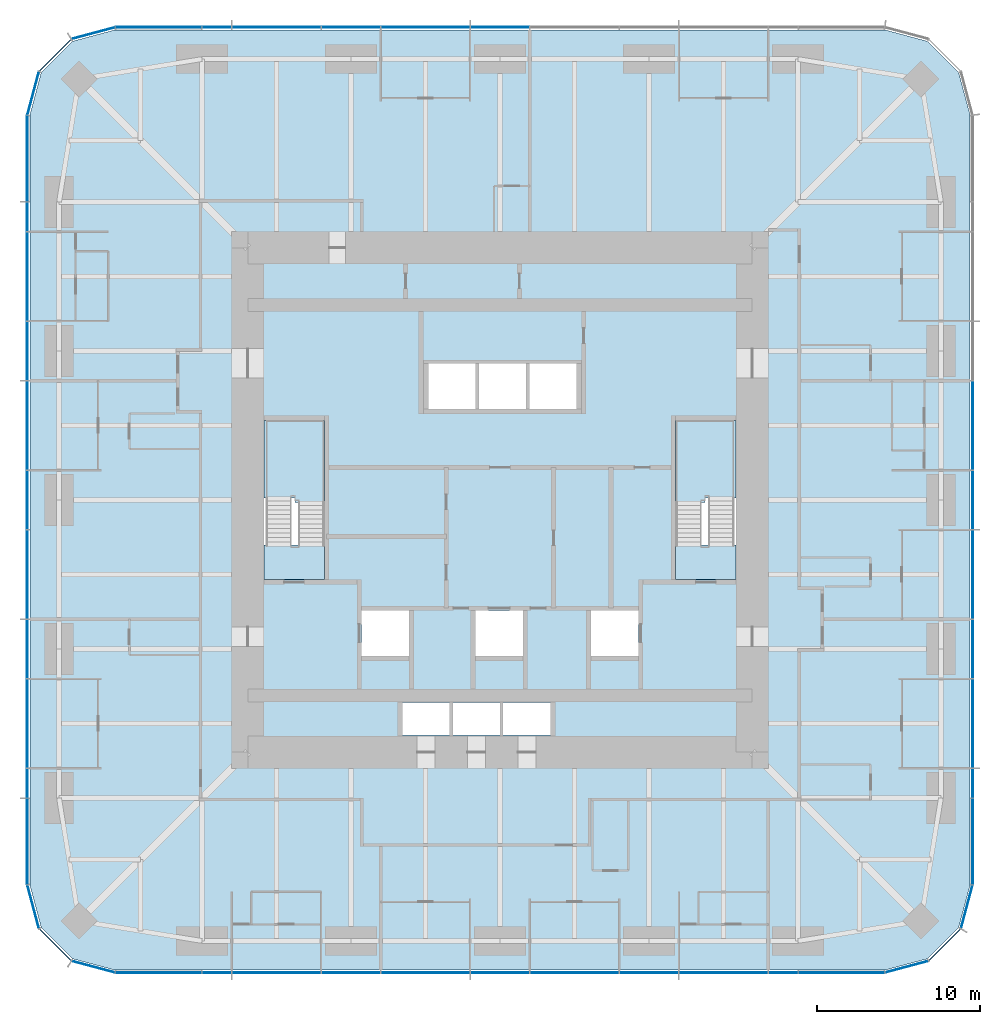
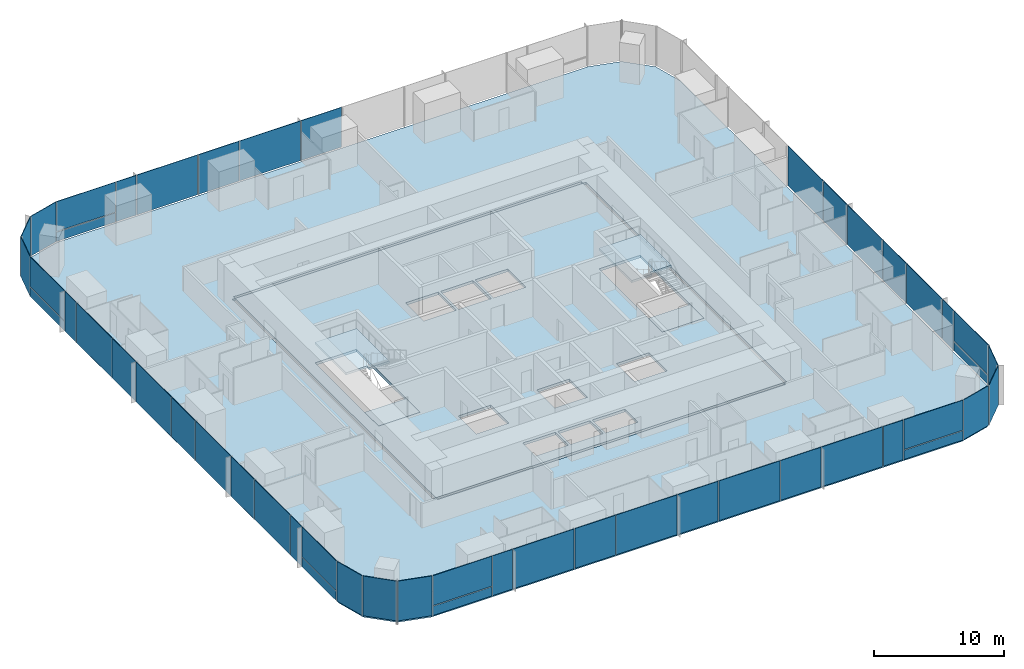
# One storey, part 7 of 13: 50 plates, 6 slabs, 9 elements without a shape of their own.
"""IFC4 building model written with IfcOpenShell, lengths in metres."""

from ifc_helpers import new_model, si_unit, direction, frame, origin, origin_2d, place, context, subcontext, project, spatial, polyline, rectangle, outline, extrude, material, layer, layer_set, type_object, element, aggregate, save


model = new_model("IFC4")

# Units and contexts
model_context = context("Model", 3, precision=1e-05, world=origin(), true_north=direction((0.0, 1.0)))
body_context = subcontext(model_context, "Body", "Model", "MODEL_VIEW")
ifc_project = project(units=[si_unit("LENGTHUNIT", "METRE"), si_unit("AREAUNIT", "SQUARE_METRE"), si_unit("VOLUMEUNIT", "CUBIC_METRE"), si_unit("PLANEANGLEUNIT", "RADIAN"), si_unit("MASSUNIT", "GRAM", prefix="KILO")], contexts=[model_context])

# Site, building, storey
site_placement = place(None, origin())
site = spatial("IfcSite", under=ifc_project, at=site_placement, CompositionType="ELEMENT")
building_placement = place(site_placement, origin())
building = spatial("IfcBuilding", under=site, at=building_placement, Name="Khuree Lantern Residences", CompositionType="ELEMENT")
storey_placement = place(building_placement, frame((0.0, 0.0, 126.0)))
storey = spatial("IfcBuildingStorey", under=building, at=storey_placement, Name="L31", CompositionType="ELEMENT", Elevation=126.0)

# Slab
ifc_material_1 = material(Name="Concrete C35/45", Category="concrete")
ifc_layer_1 = layer(ifc_material_1, 0.25)
ifc_layer_set_1 = layer_set([ifc_layer_1], Name="CFL250 CORE FLOOR SLAB 250")
slab_type_1 = type_object("IfcSlabType", Name="CFL250 CORE FLOOR SLAB 250", PredefinedType="FLOOR", material=ifc_layer_set_1)
slab_1_placement = place(storey_placement, frame((0.0, 0.0, -0.25)))
element("IfcSlab", 1, at=slab_1_placement, inside=storey, type_object=slab_type_1, Name="Core floor L31", PredefinedType="FLOOR", context=body_context, shape_type="SweptSolid", body=[
    extrude(outline(polyline([(-15.5, -15.5), (-15.5, 15.5), (15.5, 15.5), (15.5, -15.5), (-15.5, -15.5)]), holes=[polyline([(10.800048828125, 4.89990234375), (10.800048828125, -4.89990234375), (14.5, -4.89990234375), (14.5, 4.89990234375), (10.800048828125, 4.89990234375)]), polyline([(8.5, -6.800048828125), (5.60009765625, -6.800048828125), (5.60009765625, -9.60009765625), (8.5, -9.60009765625), (8.5, -6.800048828125)]), polyline([(4.699951171875, 8.39990234375), (1.800048828125, 8.39990234375), (1.800048828125, 5.60009765625), (4.699951171875, 5.60009765625), (4.699951171875, 8.39990234375)]), polyline([(3.10009765625, -12.449951171875), (0.199951171875, -12.449951171875), (0.199951171875, -14.449951171875), (3.10009765625, -14.449951171875), (3.10009765625, -12.449951171875)]), polyline([(1.60009765625, 8.39990234375), (-1.300048828125, 8.39990234375), (-1.300048828125, 5.60009765625), (1.60009765625, 5.60009765625), (1.60009765625, 8.39990234375)]), polyline([(1.39990234375, -6.800048828125), (-1.5, -6.800048828125), (-1.5, -9.60009765625), (1.39990234375, -9.60009765625), (1.39990234375, -6.800048828125)]), polyline([(-2.89990234375, -12.449951171875), (-2.89990234375, -14.449951171875), (0.0, -14.449951171875), (0.0, -12.449951171875), (-2.89990234375, -12.449951171875)]), polyline([(-4.39990234375, 8.39990234375), (-4.39990234375, 5.60009765625), (-1.5, 5.60009765625), (-1.5, 8.39990234375), (-4.39990234375, 8.39990234375)]), polyline([(-6.0, -12.449951171875), (-6.0, -14.449951171875), (-3.10009765625, -14.449951171875), (-3.10009765625, -12.449951171875), (-6.0, -12.449951171875)]), polyline([(-8.5, -6.800048828125), (-8.5, -9.60009765625), (-5.60009765625, -9.60009765625), (-5.60009765625, -6.800048828125), (-8.5, -6.800048828125)]), polyline([(-10.800048828125, 4.89990234375), (-14.5, 4.89990234375), (-14.5, -4.89990234375), (-10.800048828125, -4.89990234375), (-10.800048828125, 4.89990234375)])]), origin(), (0.0, 0.0, 1.0), 0.25),
])

# Curtain wall, plates
ifc_material_2 = material(Name="Bronze anodised aluminium", Category="aluminium")
curtain_wall_type_1 = type_object("IfcCurtainWallType", Name="CW-T2 TOWER CORNER CURTAIN WALL", PredefinedType="USERDEFINED", material=ifc_material_2)
curtain_wall_1_placement = place(storey_placement, origin())
curtain_wall_1 = element("IfcCurtainWall", 2, at=curtain_wall_1_placement, inside=storey, type_object=curtain_wall_type_1, Name="L31 SOUTH-EAST CORNER CURTAIN WALL", ObjectType="Faceted corner curtain wall", PredefinedType="USERDEFINED")
ifc_material_3 = material(Name="Bronze tinted triple glazing", Category="glass")
ifc_layer_2 = layer(ifc_material_3, 0.048095703125)
ifc_layer_set_2 = layer_set([ifc_layer_2], Name="FACET PANEL P4")
plate_type_1 = type_object("IfcPlateType", Name="FACET PANEL P4", PredefinedType="CURTAIN_PANEL", material=ifc_layer_set_2)
plate_1_placement = place(storey_placement, frame((24.998046875, -28.688720703125, 0.0), z_axis=(0.0, 0.0, 1.0), x_axis=(0.965925810153, 0.258819105321, 0.0)))
plate_1 = element("IfcPlate", 3, at=plate_1_placement, type_object=plate_type_1, Name="L31 SOUTH-EAST CORNER PANEL 1.1", PredefinedType="CURTAIN_PANEL", context=body_context, shape_type="SweptSolid", body=[
    extrude(rectangle(XDim=2.71923828125, YDim=0.048095703125, at=origin_2d()), origin(), (0.0, 0.0, 1.0), 3.75),
])
plate_2_placement = place(storey_placement, frame((27.33837890625, -27.33837890625, 0.0), z_axis=(0.0, 0.0, 1.0), x_axis=(0.707106781187, 0.707106781187, 0.0)))
plate_2 = element("IfcPlate", 4, at=plate_2_placement, type_object=plate_type_1, Name="L31 SOUTH-EAST CORNER PANEL 2.1", PredefinedType="CURTAIN_PANEL", context=body_context, shape_type="SweptSolid", body=[
    extrude(rectangle(XDim=2.715087890625, YDim=0.048095703125, at=origin_2d()), origin(), (0.0, 0.0, 1.0), 3.75),
])
plate_3_placement = place(storey_placement, frame((28.688720703125, -24.998046875, 0.0), z_axis=(0.0, 0.0, 1.0), x_axis=(0.258819105321, 0.965925810153, 0.0)))
plate_3 = element("IfcPlate", 5, at=plate_3_placement, type_object=plate_type_1, Name="L31 SOUTH-EAST CORNER PANEL 3.1", PredefinedType="CURTAIN_PANEL", context=body_context, shape_type="SweptSolid", body=[
    extrude(rectangle(XDim=2.71923828125, YDim=0.048095703125, at=origin_2d()), origin(), (0.0, 0.0, 1.0), 3.75),
])
aggregate(curtain_wall_1, [plate_1, plate_2, plate_3])

curtain_wall_2_placement = place(storey_placement, origin())
curtain_wall_2 = element("IfcCurtainWall", 6, at=curtain_wall_2_placement, inside=storey, type_object=curtain_wall_type_1, Name="L31 NORTH-WEST CORNER CURTAIN WALL", ObjectType="Faceted corner curtain wall", PredefinedType="USERDEFINED")
plate_4_placement = place(storey_placement, frame((-24.998046875, 28.688720703125, 0.0), z_axis=(0.0, 0.0, 1.0), x_axis=(-0.965925810153, -0.258819105321, 0.0)))
plate_4 = element("IfcPlate", 7, at=plate_4_placement, type_object=plate_type_1, Name="L31 NORTH-WEST CORNER PANEL 29.1", PredefinedType="CURTAIN_PANEL", context=body_context, shape_type="SweptSolid", body=[
    extrude(rectangle(XDim=2.71923828125, YDim=0.048095703125, at=origin_2d()), origin(), (0.0, 0.0, 1.0), 3.75),
])
plate_5_placement = place(storey_placement, frame((-27.33837890625, 27.33837890625, 0.0), z_axis=(0.0, 0.0, 1.0), x_axis=(-0.707106781187, -0.707106781187, 0.0)))
plate_5 = element("IfcPlate", 8, at=plate_5_placement, type_object=plate_type_1, Name="L31 NORTH-WEST CORNER PANEL 30.1", PredefinedType="CURTAIN_PANEL", context=body_context, shape_type="SweptSolid", body=[
    extrude(rectangle(XDim=2.715087890625, YDim=0.048095703125, at=origin_2d()), origin(), (0.0, 0.0, 1.0), 3.75),
])
plate_6_placement = place(storey_placement, frame((-28.688720703125, 24.998046875, 0.0), z_axis=(0.0, 0.0, 1.0), x_axis=(-0.258819105321, -0.965925810153, 0.0)))
plate_6 = element("IfcPlate", 9, at=plate_6_placement, type_object=plate_type_1, Name="L31 NORTH-WEST CORNER PANEL 31.1", PredefinedType="CURTAIN_PANEL", context=body_context, shape_type="SweptSolid", body=[
    extrude(rectangle(XDim=2.71923828125, YDim=0.048095703125, at=origin_2d()), origin(), (0.0, 0.0, 1.0), 3.75),
])
aggregate(curtain_wall_2, [plate_4, plate_5, plate_6])

curtain_wall_3_placement = place(storey_placement, origin())
curtain_wall_3 = element("IfcCurtainWall", 10, at=curtain_wall_3_placement, inside=storey, type_object=curtain_wall_type_1, Name="L31 SOUTH-WEST CORNER CURTAIN WALL", ObjectType="Faceted corner curtain wall", PredefinedType="USERDEFINED")
plate_7_placement = place(storey_placement, frame((-28.688720703125, -24.998046875, 0.0), z_axis=(0.0, 0.0, 1.0), x_axis=(0.258819105321, -0.965925810153, 0.0)))
plate_7 = element("IfcPlate", 11, at=plate_7_placement, type_object=plate_type_1, Name="L31 SOUTH-WEST CORNER PANEL 43.1", PredefinedType="CURTAIN_PANEL", context=body_context, shape_type="SweptSolid", body=[
    extrude(rectangle(XDim=2.71923828125, YDim=0.048095703125, at=origin_2d()), origin(), (0.0, 0.0, 1.0), 3.75),
])
plate_8_placement = place(storey_placement, frame((-27.33837890625, -27.33837890625, 0.0), z_axis=(0.0, 0.0, 1.0), x_axis=(0.707106781187, -0.707106781187, 0.0)))
plate_8 = element("IfcPlate", 12, at=plate_8_placement, type_object=plate_type_1, Name="L31 SOUTH-WEST CORNER PANEL 44.1", PredefinedType="CURTAIN_PANEL", context=body_context, shape_type="SweptSolid", body=[
    extrude(rectangle(XDim=2.715087890625, YDim=0.048095703125, at=origin_2d()), origin(), (0.0, 0.0, 1.0), 3.75),
])
plate_9_placement = place(storey_placement, frame((-24.998046875, -28.688720703125, 0.0), z_axis=(0.0, 0.0, 1.0), x_axis=(0.965925810153, -0.258819105321, 0.0)))
plate_9 = element("IfcPlate", 13, at=plate_9_placement, type_object=plate_type_1, Name="L31 SOUTH-WEST CORNER PANEL 45.1", PredefinedType="CURTAIN_PANEL", context=body_context, shape_type="SweptSolid", body=[
    extrude(rectangle(XDim=2.71923828125, YDim=0.048095703125, at=origin_2d()), origin(), (0.0, 0.0, 1.0), 3.75),
])
aggregate(curtain_wall_3, [plate_7, plate_8, plate_9])

curtain_wall_type_2 = type_object("IfcCurtainWallType", Name="CW-T1 TOWER FACE CURTAIN WALL", PredefinedType="USERDEFINED", material=ifc_material_2)
curtain_wall_4_placement = place(storey_placement, origin())
curtain_wall_4 = element("IfcCurtainWall", 14, at=curtain_wall_4_placement, inside=storey, type_object=curtain_wall_type_2, Name="L31 EAST FACE CURTAIN WALL", ObjectType="Stick-built curtain wall", PredefinedType="USERDEFINED")
ifc_material_4 = material(Name="Bronze tinted triple glazing with a ceramic-fritted spandrel band", Category="glass")
ifc_layer_3 = layer(ifc_material_4, 0.048095703125)
ifc_layer_set_3 = layer_set([ifc_layer_3], Name="FIXED LIGHT PANEL P11")
plate_type_2 = type_object("IfcPlateType", Name="FIXED LIGHT PANEL P11", PredefinedType="CURTAIN_PANEL", material=ifc_layer_set_3)
plate_10_placement = place(storey_placement, frame((29.050048828125, -13.739990234375, 0.0), z_axis=(0.0, 0.0, 1.0), x_axis=(0.0, 1.0, 0.0)))
plate_10 = element("IfcPlate", 15, at=plate_10_placement, type_object=plate_type_2, Name="L31 EAST FACE PANEL 6.1", PredefinedType="CURTAIN_PANEL", context=body_context, shape_type="SweptSolid", body=[
    extrude(rectangle(XDim=5.430908203125, YDim=0.048095703125, at=origin_2d()), origin(), (0.0, 0.0, 1.0), 3.75),
])
plate_11_placement = place(storey_placement, frame((29.050048828125, -4.580078125, 0.0), z_axis=(0.0, 0.0, 1.0), x_axis=(0.0, 1.0, 0.0)))
plate_11 = element("IfcPlate", 16, at=plate_11_placement, type_object=plate_type_2, Name="L31 EAST FACE PANEL 8.1", PredefinedType="CURTAIN_PANEL", context=body_context, shape_type="SweptSolid", body=[
    extrude(rectangle(XDim=5.430908203125, YDim=0.048095703125, at=origin_2d()), origin(), (0.0, 0.0, 1.0), 3.75),
])
plate_12_placement = place(storey_placement, frame((29.050048828125, 4.580078125, 0.0), z_axis=(0.0, 0.0, 1.0), x_axis=(0.0, 1.0, 0.0)))
plate_12 = element("IfcPlate", 17, at=plate_12_placement, type_object=plate_type_2, Name="L31 EAST FACE PANEL 10.1", PredefinedType="CURTAIN_PANEL", context=body_context, shape_type="SweptSolid", body=[
    extrude(rectangle(XDim=5.430908203125, YDim=0.048095703125, at=origin_2d()), origin(), (0.0, 0.0, 1.0), 3.75),
])

curtain_wall_5_placement = place(storey_placement, origin())
curtain_wall_5 = element("IfcCurtainWall", 18, at=curtain_wall_5_placement, inside=storey, type_object=curtain_wall_type_2, Name="L31 NORTH FACE CURTAIN WALL", ObjectType="Stick-built curtain wall", PredefinedType="USERDEFINED")
plate_13_placement = place(storey_placement, frame((-4.580078125, 29.050048828125, 0.0), z_axis=(0.0, 0.0, 1.0), x_axis=(-1.0, 0.0, 0.0)))
plate_13 = element("IfcPlate", 19, at=plate_13_placement, type_object=plate_type_2, Name="L31 NORTH FACE PANEL 24.1", PredefinedType="CURTAIN_PANEL", context=body_context, shape_type="SweptSolid", body=[
    extrude(rectangle(XDim=5.430908203125, YDim=0.048095703125, at=origin_2d()), origin(), (0.0, 0.0, 1.0), 3.75),
])
plate_14_placement = place(storey_placement, frame((-13.739990234375, 29.050048828125, 0.0), z_axis=(0.0, 0.0, 1.0), x_axis=(-1.0, 0.0, 0.0)))
plate_14 = element("IfcPlate", 20, at=plate_14_placement, type_object=plate_type_2, Name="L31 NORTH FACE PANEL 26.1", PredefinedType="CURTAIN_PANEL", context=body_context, shape_type="SweptSolid", body=[
    extrude(rectangle(XDim=5.430908203125, YDim=0.048095703125, at=origin_2d()), origin(), (0.0, 0.0, 1.0), 3.75),
])

curtain_wall_6_placement = place(storey_placement, origin())
curtain_wall_6 = element("IfcCurtainWall", 21, at=curtain_wall_6_placement, inside=storey, type_object=curtain_wall_type_2, Name="L31 WEST FACE CURTAIN WALL", ObjectType="Stick-built curtain wall", PredefinedType="USERDEFINED")
plate_15_placement = place(storey_placement, frame((-29.050048828125, 13.739990234375, 0.0), z_axis=(0.0, 0.0, 1.0), x_axis=(0.0, -1.0, 0.0)))
plate_15 = element("IfcPlate", 22, at=plate_15_placement, type_object=plate_type_2, Name="L31 WEST FACE PANEL 34.1", PredefinedType="CURTAIN_PANEL", context=body_context, shape_type="SweptSolid", body=[
    extrude(rectangle(XDim=5.430908203125, YDim=0.048095703125, at=origin_2d()), origin(), (0.0, 0.0, 1.0), 3.75),
])
plate_16_placement = place(storey_placement, frame((-29.050048828125, 4.580078125, 0.0), z_axis=(0.0, 0.0, 1.0), x_axis=(0.0, -1.0, 0.0)))
plate_16 = element("IfcPlate", 23, at=plate_16_placement, type_object=plate_type_2, Name="L31 WEST FACE PANEL 36.1", PredefinedType="CURTAIN_PANEL", context=body_context, shape_type="SweptSolid", body=[
    extrude(rectangle(XDim=5.430908203125, YDim=0.048095703125, at=origin_2d()), origin(), (0.0, 0.0, 1.0), 3.75),
])
plate_17_placement = place(storey_placement, frame((-29.050048828125, -4.580078125, 0.0), z_axis=(0.0, 0.0, 1.0), x_axis=(0.0, -1.0, 0.0)))
plate_17 = element("IfcPlate", 24, at=plate_17_placement, type_object=plate_type_2, Name="L31 WEST FACE PANEL 38.1", PredefinedType="CURTAIN_PANEL", context=body_context, shape_type="SweptSolid", body=[
    extrude(rectangle(XDim=5.430908203125, YDim=0.048095703125, at=origin_2d()), origin(), (0.0, 0.0, 1.0), 3.75),
])
plate_18_placement = place(storey_placement, frame((-29.050048828125, -13.739990234375, 0.0), z_axis=(0.0, 0.0, 1.0), x_axis=(0.0, -1.0, 0.0)))
plate_18 = element("IfcPlate", 25, at=plate_18_placement, type_object=plate_type_2, Name="L31 WEST FACE PANEL 40.1", PredefinedType="CURTAIN_PANEL", context=body_context, shape_type="SweptSolid", body=[
    extrude(rectangle(XDim=5.430908203125, YDim=0.048095703125, at=origin_2d()), origin(), (0.0, 0.0, 1.0), 3.75),
])

curtain_wall_7_placement = place(storey_placement, origin())
curtain_wall_7 = element("IfcCurtainWall", 26, at=curtain_wall_7_placement, inside=storey, type_object=curtain_wall_type_2, Name="L31 SOUTH FACE CURTAIN WALL", ObjectType="Stick-built curtain wall", PredefinedType="USERDEFINED")
plate_19_placement = place(storey_placement, frame((-13.739990234375, -29.050048828125, 0.0), z_axis=(0.0, 0.0, 1.0), x_axis=(1.0, 0.0, 0.0)))
plate_19 = element("IfcPlate", 27, at=plate_19_placement, type_object=plate_type_2, Name="L31 SOUTH FACE PANEL 48.1", PredefinedType="CURTAIN_PANEL", context=body_context, shape_type="SweptSolid", body=[
    extrude(rectangle(XDim=5.430908203125, YDim=0.048095703125, at=origin_2d()), origin(), (0.0, 0.0, 1.0), 3.75),
])
plate_20_placement = place(storey_placement, frame((-4.580078125, -29.050048828125, 0.0), z_axis=(0.0, 0.0, 1.0), x_axis=(1.0, 0.0, 0.0)))
plate_20 = element("IfcPlate", 28, at=plate_20_placement, type_object=plate_type_2, Name="L31 SOUTH FACE PANEL 50.1", PredefinedType="CURTAIN_PANEL", context=body_context, shape_type="SweptSolid", body=[
    extrude(rectangle(XDim=5.430908203125, YDim=0.048095703125, at=origin_2d()), origin(), (0.0, 0.0, 1.0), 3.75),
])
plate_21_placement = place(storey_placement, frame((4.580078125, -29.050048828125, 0.0), z_axis=(0.0, 0.0, 1.0), x_axis=(1.0, 0.0, 0.0)))
plate_21 = element("IfcPlate", 29, at=plate_21_placement, type_object=plate_type_2, Name="L31 SOUTH FACE PANEL 52.1", PredefinedType="CURTAIN_PANEL", context=body_context, shape_type="SweptSolid", body=[
    extrude(rectangle(XDim=5.430908203125, YDim=0.048095703125, at=origin_2d()), origin(), (0.0, 0.0, 1.0), 3.75),
])
plate_22_placement = place(storey_placement, frame((13.739990234375, -29.050048828125, 0.0), z_axis=(0.0, 0.0, 1.0), x_axis=(1.0, 0.0, 0.0)))
plate_22 = element("IfcPlate", 30, at=plate_22_placement, type_object=plate_type_2, Name="L31 SOUTH FACE PANEL 54.1", PredefinedType="CURTAIN_PANEL", context=body_context, shape_type="SweptSolid", body=[
    extrude(rectangle(XDim=5.430908203125, YDim=0.048095703125, at=origin_2d()), origin(), (0.0, 0.0, 1.0), 3.75),
])

# Slab
ifc_layer_4 = layer(ifc_material_1, 0.25)
ifc_layer_set_4 = layer_set([ifc_layer_4], Name="FS250 FLOOR SLAB 250")
slab_type_2 = type_object("IfcSlabType", Name="FS250 FLOOR SLAB 250", PredefinedType="FLOOR", material=ifc_layer_set_4)
slab_2_placement = place(storey_placement, frame((0.0, 0.0, -0.25)))
element("IfcSlab", 31, at=slab_2_placement, inside=storey, type_object=slab_type_2, Name="Floor slab L31", PredefinedType="FLOOR", context=body_context, shape_type="SweptSolid", body=[
    extrude(outline(polyline([(-26.27490234375, -28.196533203125), (-28.196533203125, -26.27490234375), (-28.89990234375, -23.64990234375), (-28.89990234375, 23.64990234375), (-28.196533203125, 26.27490234375), (-26.27490234375, 28.196533203125), (-23.64990234375, 28.89990234375), (23.64990234375, 28.89990234375), (26.27490234375, 28.196533203125), (28.196533203125, 26.27490234375), (28.89990234375, 23.64990234375), (28.89990234375, -23.64990234375), (28.196533203125, -26.27490234375), (26.27490234375, -28.196533203125), (23.64990234375, -28.89990234375), (-23.64990234375, -28.89990234375), (-26.27490234375, -28.196533203125)]), holes=[polyline([(15.75, 15.5), (15.5, 15.5), (15.5, 15.75), (-15.5, 15.75), (-15.5, 15.5), (-15.75, 15.5), (-15.75, -15.5), (-15.5, -15.5), (-15.5, -15.75), (15.5, -15.75), (15.5, -15.5), (15.75, -15.5), (15.75, 15.5)])]), origin(), (0.0, 0.0, 1.0), 0.25),
])

# Plate
ifc_material_5 = material(Name="Bronze tinted triple glazing, two aluminium-framed sashes in one frame", Category="aluminium")
ifc_layer_5 = layer(ifc_material_5, 0.048095703125)
ifc_layer_set_5 = layer_set([ifc_layer_5], Name="SASH PAIR PANEL P12")
plate_type_3 = type_object("IfcPlateType", Name="SASH PAIR PANEL P12", PredefinedType="CURTAIN_PANEL", material=ifc_layer_set_5)
plate_23_placement = place(storey_placement, frame((29.050048828125, -9.159912109375, 0.0), z_axis=(0.0, 0.0, 1.0), x_axis=(0.0, 1.0, 0.0)))
plate_23 = element("IfcPlate", 32, at=plate_23_placement, type_object=plate_type_3, Name="L31 EAST FACE PANEL 7.1", PredefinedType="CURTAIN_PANEL", context=body_context, shape_type="SweptSolid", body=[
    extrude(rectangle(XDim=3.59912109375, YDim=0.048095703125, at=origin_2d()), origin(), (0.0, 0.0, 1.0), 3.75),
])

plate_24_placement = place(storey_placement, frame((29.050048828125, 0.0, 0.0), z_axis=(0.0, 0.0, 1.0), x_axis=(0.0, 1.0, 0.0)))
plate_24 = element("IfcPlate", 33, at=plate_24_placement, type_object=plate_type_3, Name="L31 EAST FACE PANEL 9.1", PredefinedType="CURTAIN_PANEL", context=body_context, shape_type="SweptSolid", body=[
    extrude(rectangle(XDim=3.59912109375, YDim=0.048095703125, at=origin_2d()), origin(), (0.0, 0.0, 1.0), 3.75),
])

plate_25_placement = place(storey_placement, frame((0.0, 29.050048828125, 0.0), z_axis=(0.0, 0.0, 1.0), x_axis=(-1.0, 0.0, 0.0)))
plate_25 = element("IfcPlate", 34, at=plate_25_placement, type_object=plate_type_3, Name="L31 NORTH FACE PANEL 23.1", PredefinedType="CURTAIN_PANEL", context=body_context, shape_type="SweptSolid", body=[
    extrude(rectangle(XDim=3.59912109375, YDim=0.048095703125, at=origin_2d()), origin(), (0.0, 0.0, 1.0), 3.75),
])

plate_26_placement = place(storey_placement, frame((-9.159912109375, 29.050048828125, 0.0), z_axis=(0.0, 0.0, 1.0), x_axis=(-1.0, 0.0, 0.0)))
plate_26 = element("IfcPlate", 35, at=plate_26_placement, type_object=plate_type_3, Name="L31 NORTH FACE PANEL 25.1", PredefinedType="CURTAIN_PANEL", context=body_context, shape_type="SweptSolid", body=[
    extrude(rectangle(XDim=3.59912109375, YDim=0.048095703125, at=origin_2d()), origin(), (0.0, 0.0, 1.0), 3.75),
])

plate_27_placement = place(storey_placement, frame((-29.050048828125, 9.159912109375, 0.0), z_axis=(0.0, 0.0, 1.0), x_axis=(0.0, -1.0, 0.0)))
plate_27 = element("IfcPlate", 36, at=plate_27_placement, type_object=plate_type_3, Name="L31 WEST FACE PANEL 35.1", PredefinedType="CURTAIN_PANEL", context=body_context, shape_type="SweptSolid", body=[
    extrude(rectangle(XDim=3.59912109375, YDim=0.048095703125, at=origin_2d()), origin(), (0.0, 0.0, 1.0), 3.75),
])

plate_28_placement = place(storey_placement, frame((-29.050048828125, 0.0, 0.0), z_axis=(0.0, 0.0, 1.0), x_axis=(0.0, -1.0, 0.0)))
plate_28 = element("IfcPlate", 37, at=plate_28_placement, type_object=plate_type_3, Name="L31 WEST FACE PANEL 37.1", PredefinedType="CURTAIN_PANEL", context=body_context, shape_type="SweptSolid", body=[
    extrude(rectangle(XDim=3.59912109375, YDim=0.048095703125, at=origin_2d()), origin(), (0.0, 0.0, 1.0), 3.75),
])

plate_29_placement = place(storey_placement, frame((-29.050048828125, -9.159912109375, 0.0), z_axis=(0.0, 0.0, 1.0), x_axis=(0.0, -1.0, 0.0)))
plate_29 = element("IfcPlate", 38, at=plate_29_placement, type_object=plate_type_3, Name="L31 WEST FACE PANEL 39.1", PredefinedType="CURTAIN_PANEL", context=body_context, shape_type="SweptSolid", body=[
    extrude(rectangle(XDim=3.59912109375, YDim=0.048095703125, at=origin_2d()), origin(), (0.0, 0.0, 1.0), 3.75),
])

plate_30_placement = place(storey_placement, frame((-9.159912109375, -29.050048828125, 0.0), z_axis=(0.0, 0.0, 1.0), x_axis=(1.0, 0.0, 0.0)))
plate_30 = element("IfcPlate", 39, at=plate_30_placement, type_object=plate_type_3, Name="L31 SOUTH FACE PANEL 49.1", PredefinedType="CURTAIN_PANEL", context=body_context, shape_type="SweptSolid", body=[
    extrude(rectangle(XDim=3.59912109375, YDim=0.048095703125, at=origin_2d()), origin(), (0.0, 0.0, 1.0), 3.75),
])

plate_31_placement = place(storey_placement, frame((0.0, -29.050048828125, 0.0), z_axis=(0.0, 0.0, 1.0), x_axis=(1.0, 0.0, 0.0)))
plate_31 = element("IfcPlate", 40, at=plate_31_placement, type_object=plate_type_3, Name="L31 SOUTH FACE PANEL 51.1", PredefinedType="CURTAIN_PANEL", context=body_context, shape_type="SweptSolid", body=[
    extrude(rectangle(XDim=3.59912109375, YDim=0.048095703125, at=origin_2d()), origin(), (0.0, 0.0, 1.0), 3.75),
])

plate_32_placement = place(storey_placement, frame((9.159912109375, -29.050048828125, 0.0), z_axis=(0.0, 0.0, 1.0), x_axis=(1.0, 0.0, 0.0)))
plate_32 = element("IfcPlate", 41, at=plate_32_placement, type_object=plate_type_3, Name="L31 SOUTH FACE PANEL 53.1", PredefinedType="CURTAIN_PANEL", context=body_context, shape_type="SweptSolid", body=[
    extrude(rectangle(XDim=3.59912109375, YDim=0.048095703125, at=origin_2d()), origin(), (0.0, 0.0, 1.0), 3.75),
])

ifc_material_6 = material(Name="Bronze tinted triple glazing, aluminium-framed sash", Category="aluminium")
ifc_layer_6 = layer(ifc_material_6, 0.048095703125)
ifc_layer_set_6 = layer_set([ifc_layer_6], Name="SASH PANEL P3")
plate_type_4 = type_object("IfcPlateType", Name="SASH PANEL P3", PredefinedType="CURTAIN_PANEL", material=ifc_layer_set_6)
plate_33_placement = place(storey_placement, frame((29.050048828125, -17.404052734375, 0.0), z_axis=(0.0, 0.0, 1.0), x_axis=(0.0, 1.0, 0.0)))
plate_33 = element("IfcPlate", 42, at=plate_33_placement, type_object=plate_type_4, Name="L31 EAST FACE PANEL 5.1", PredefinedType="CURTAIN_PANEL", context=body_context, shape_type="SweptSolid", body=[
    extrude(rectangle(XDim=1.76708984375, YDim=0.048095703125, at=origin_2d()), origin(), (0.0, 0.0, 1.0), 3.75),
])

plate_34_placement = place(storey_placement, frame((-17.404052734375, 29.050048828125, 0.0), z_axis=(0.0, 0.0, 1.0), x_axis=(-1.0, 0.0, 0.0)))
plate_34 = element("IfcPlate", 43, at=plate_34_placement, type_object=plate_type_4, Name="L31 NORTH FACE PANEL 27.1", PredefinedType="CURTAIN_PANEL", context=body_context, shape_type="SweptSolid", body=[
    extrude(rectangle(XDim=1.76708984375, YDim=0.048095703125, at=origin_2d()), origin(), (0.0, 0.0, 1.0), 3.75),
])

plate_35_placement = place(storey_placement, frame((-29.050048828125, 17.404052734375, 0.0), z_axis=(0.0, 0.0, 1.0), x_axis=(0.0, -1.0, 0.0)))
plate_35 = element("IfcPlate", 44, at=plate_35_placement, type_object=plate_type_4, Name="L31 WEST FACE PANEL 33.1", PredefinedType="CURTAIN_PANEL", context=body_context, shape_type="SweptSolid", body=[
    extrude(rectangle(XDim=1.76708984375, YDim=0.048095703125, at=origin_2d()), origin(), (0.0, 0.0, 1.0), 3.75),
])

plate_36_placement = place(storey_placement, frame((-29.050048828125, -17.404052734375, 0.0), z_axis=(0.0, 0.0, 1.0), x_axis=(0.0, -1.0, 0.0)))
plate_36 = element("IfcPlate", 45, at=plate_36_placement, type_object=plate_type_4, Name="L31 WEST FACE PANEL 41.1", PredefinedType="CURTAIN_PANEL", context=body_context, shape_type="SweptSolid", body=[
    extrude(rectangle(XDim=1.76708984375, YDim=0.048095703125, at=origin_2d()), origin(), (0.0, 0.0, 1.0), 3.75),
])

plate_37_placement = place(storey_placement, frame((-17.404052734375, -29.050048828125, 0.0), z_axis=(0.0, 0.0, 1.0), x_axis=(1.0, 0.0, 0.0)))
plate_37 = element("IfcPlate", 46, at=plate_37_placement, type_object=plate_type_4, Name="L31 SOUTH FACE PANEL 47.1", PredefinedType="CURTAIN_PANEL", context=body_context, shape_type="SweptSolid", body=[
    extrude(rectangle(XDim=1.76708984375, YDim=0.048095703125, at=origin_2d()), origin(), (0.0, 0.0, 1.0), 3.75),
])

plate_38_placement = place(storey_placement, frame((17.404052734375, -29.050048828125, 0.0), z_axis=(0.0, 0.0, 1.0), x_axis=(1.0, 0.0, 0.0)))
plate_38 = element("IfcPlate", 47, at=plate_38_placement, type_object=plate_type_4, Name="L31 SOUTH FACE PANEL 55.1", PredefinedType="CURTAIN_PANEL", context=body_context, shape_type="SweptSolid", body=[
    extrude(rectangle(XDim=1.76708984375, YDim=0.048095703125, at=origin_2d()), origin(), (0.0, 0.0, 1.0), 3.75),
])

ifc_material_7 = material(Name="Bronze anodised aluminium insulated spandrel", Category="aluminium")
ifc_layer_7 = layer(ifc_material_7, 0.06005859375)
ifc_layer_set_7 = layer_set([ifc_layer_7], Name="SPANDREL PANEL P2")
plate_type_5 = type_object("IfcPlateType", Name="SPANDREL PANEL P2", PredefinedType="CURTAIN_PANEL", material=ifc_layer_set_7)
plate_39_placement = place(storey_placement, frame((29.050048828125, -20.98291015625, 0.0), z_axis=(0.0, 0.0, 1.0), x_axis=(0.0, 1.0, 0.0)))
plate_39 = element("IfcPlate", 48, at=plate_39_placement, type_object=plate_type_5, Name="L31 EAST FACE PANEL 4.1", PredefinedType="CURTAIN_PANEL", context=body_context, shape_type="SweptSolid", body=[
    extrude(rectangle(XDim=5.2607421875, YDim=0.06005859375, at=origin_2d()), origin(), (0.0, 0.0, 1.0), 0.867431640625),
])

plate_40_placement = place(storey_placement, frame((-20.98291015625, 29.050048828125, 0.0), z_axis=(0.0, 0.0, 1.0), x_axis=(-1.0, 0.0, 0.0)))
plate_40 = element("IfcPlate", 49, at=plate_40_placement, type_object=plate_type_5, Name="L31 NORTH FACE PANEL 28.1", PredefinedType="CURTAIN_PANEL", context=body_context, shape_type="SweptSolid", body=[
    extrude(rectangle(XDim=5.2607421875, YDim=0.06005859375, at=origin_2d()), origin(), (0.0, 0.0, 1.0), 0.867431640625),
])

plate_41_placement = place(storey_placement, frame((-29.050048828125, 20.98291015625, 0.0), z_axis=(0.0, 0.0, 1.0), x_axis=(0.0, -1.0, 0.0)))
plate_41 = element("IfcPlate", 50, at=plate_41_placement, type_object=plate_type_5, Name="L31 WEST FACE PANEL 32.1", PredefinedType="CURTAIN_PANEL", context=body_context, shape_type="SweptSolid", body=[
    extrude(rectangle(XDim=5.2607421875, YDim=0.06005859375, at=origin_2d()), origin(), (0.0, 0.0, 1.0), 0.867431640625),
])

plate_42_placement = place(storey_placement, frame((-29.050048828125, -20.98291015625, 0.0), z_axis=(0.0, 0.0, 1.0), x_axis=(0.0, -1.0, 0.0)))
plate_42 = element("IfcPlate", 51, at=plate_42_placement, type_object=plate_type_5, Name="L31 WEST FACE PANEL 42.1", PredefinedType="CURTAIN_PANEL", context=body_context, shape_type="SweptSolid", body=[
    extrude(rectangle(XDim=5.2607421875, YDim=0.06005859375, at=origin_2d()), origin(), (0.0, 0.0, 1.0), 0.867431640625),
])

plate_43_placement = place(storey_placement, frame((-20.98291015625, -29.050048828125, 0.0), z_axis=(0.0, 0.0, 1.0), x_axis=(1.0, 0.0, 0.0)))
plate_43 = element("IfcPlate", 52, at=plate_43_placement, type_object=plate_type_5, Name="L31 SOUTH FACE PANEL 46.1", PredefinedType="CURTAIN_PANEL", context=body_context, shape_type="SweptSolid", body=[
    extrude(rectangle(XDim=5.2607421875, YDim=0.06005859375, at=origin_2d()), origin(), (0.0, 0.0, 1.0), 0.867431640625),
])

plate_44_placement = place(storey_placement, frame((20.98291015625, -29.050048828125, 0.0), z_axis=(0.0, 0.0, 1.0), x_axis=(1.0, 0.0, 0.0)))
plate_44 = element("IfcPlate", 53, at=plate_44_placement, type_object=plate_type_5, Name="L31 SOUTH FACE PANEL 56.1", PredefinedType="CURTAIN_PANEL", context=body_context, shape_type="SweptSolid", body=[
    extrude(rectangle(XDim=5.2607421875, YDim=0.06005859375, at=origin_2d()), origin(), (0.0, 0.0, 1.0), 0.867431640625),
])

# Stair, slabs
ifc_material_8 = material(Name="Concrete C40/50", Category="concrete")
stair_type = type_object("IfcStairType", Name="STAIR ST1 HALF TURN 3600", PredefinedType="HALF_TURN_STAIR", material=ifc_material_8)
stair_1_placement = place(storey_placement, origin())
stair_1 = element("IfcStair", 54, at=stair_1_placement, inside=storey, type_object=stair_type, Name="Stair ST1", PredefinedType="HALF_TURN_STAIR")
ifc_layer_8 = layer(ifc_material_8, 0.199951171875)
ifc_layer_set_8 = layer_set([ifc_layer_8], Name="STAIR LANDING SL1 200")
slab_type_3 = type_object("IfcSlabType", Name="STAIR LANDING SL1 200", PredefinedType="LANDING", material=ifc_layer_set_8)
slab_3_placement = place(storey_placement, frame((0.0, 0.0, -0.199951171875)))
slab_3 = element("IfcSlab", 55, at=slab_3_placement, type_object=slab_type_3, Name="ST1 landing 1", PredefinedType="LANDING", context=body_context, shape_type="SweptSolid", body=[
    extrude(outline(polyline([(-14.5, -4.89990234375), (-10.800048828125, -4.89990234375), (-10.800048828125, -2.760009765625), (-14.5, -2.760009765625), (-14.5, -4.89990234375)])), origin(), (0.0, 0.0, 1.0), 0.199951171875),
])
slab_4_placement = place(storey_placement, frame((0.0, 0.0, 1.756591796875)))
slab_4 = element("IfcSlab", 56, at=slab_4_placement, type_object=slab_type_3, Name="ST1 landing 2", PredefinedType="LANDING", context=body_context, shape_type="SweptSolid", body=[
    extrude(outline(polyline([(-14.5, 0.1201171875), (-14.5, 4.89990234375), (-10.800048828125, 4.89990234375), (-10.800048828125, -0.159912109375), (-12.60009765625, -0.159912109375), (-12.60009765625, 0.1201171875), (-14.5, 0.1201171875)])), origin(), (0.0, 0.0, 1.0), 0.199951171875),
])
aggregate(stair_1, [slab_3, slab_4])

stair_2_placement = place(storey_placement, origin())
stair_2 = element("IfcStair", 57, at=stair_2_placement, inside=storey, type_object=stair_type, Name="Stair ST2", PredefinedType="HALF_TURN_STAIR")
slab_5_placement = place(storey_placement, frame((0.0, 0.0, -0.199951171875)))
slab_5 = element("IfcSlab", 58, at=slab_5_placement, type_object=slab_type_3, Name="ST2 landing 1", PredefinedType="LANDING", context=body_context, shape_type="SweptSolid", body=[
    extrude(outline(polyline([(10.800048828125, -4.89990234375), (14.5, -4.89990234375), (14.5, -2.760009765625), (10.800048828125, -2.760009765625), (10.800048828125, -4.89990234375)])), origin(), (0.0, 0.0, 1.0), 0.199951171875),
])
slab_6_placement = place(storey_placement, frame((0.0, 0.0, 1.756591796875)))
slab_6 = element("IfcSlab", 59, at=slab_6_placement, type_object=slab_type_3, Name="ST2 landing 2", PredefinedType="LANDING", context=body_context, shape_type="SweptSolid", body=[
    extrude(outline(polyline([(14.5, 4.89990234375), (14.5, 0.1201171875), (12.60009765625, 0.1201171875), (12.60009765625, -0.159912109375), (10.800048828125, -0.159912109375), (10.800048828125, 4.89990234375), (14.5, 4.89990234375)])), origin(), (0.0, 0.0, 1.0), 0.199951171875),
])
aggregate(stair_2, [slab_5, slab_6])

# Plate
ifc_layer_9 = layer(ifc_material_3, 0.048095703125)
ifc_layer_set_9 = layer_set([ifc_layer_9], Name="VISION PANEL P1")
plate_type_6 = type_object("IfcPlateType", Name="VISION PANEL P1", PredefinedType="CURTAIN_PANEL", material=ifc_layer_set_9)
plate_45_placement = place(storey_placement, frame((29.050048828125, -20.9833984375, 0.9326171875), z_axis=(0.0, 0.0, 1.0), x_axis=(0.0, 1.0, 0.0)))
plate_45 = element("IfcPlate", 60, at=plate_45_placement, type_object=plate_type_6, Name="L31 EAST FACE PANEL 4.2", PredefinedType="CURTAIN_PANEL", context=body_context, shape_type="SweptSolid", body=[
    extrude(rectangle(XDim=5.261474609375, YDim=0.048095703125, at=origin_2d()), origin(), (0.0, 0.0, 1.0), 2.8173828125),
])

aggregate(curtain_wall_4, [plate_39, plate_45, plate_33, plate_10, plate_23, plate_11, plate_24, plate_12])

plate_46_placement = place(storey_placement, frame((-20.9833984375, 29.050048828125, 0.9326171875), z_axis=(0.0, 0.0, 1.0), x_axis=(-1.0, 0.0, 0.0)))
plate_46 = element("IfcPlate", 61, at=plate_46_placement, type_object=plate_type_6, Name="L31 NORTH FACE PANEL 28.2", PredefinedType="CURTAIN_PANEL", context=body_context, shape_type="SweptSolid", body=[
    extrude(rectangle(XDim=5.261474609375, YDim=0.048095703125, at=origin_2d()), origin(), (0.0, 0.0, 1.0), 2.8173828125),
])

aggregate(curtain_wall_5, [plate_25, plate_13, plate_26, plate_14, plate_34, plate_40, plate_46])

plate_47_placement = place(storey_placement, frame((-29.050048828125, 20.9833984375, 0.9326171875), z_axis=(0.0, 0.0, 1.0), x_axis=(0.0, -1.0, 0.0)))
plate_47 = element("IfcPlate", 62, at=plate_47_placement, type_object=plate_type_6, Name="L31 WEST FACE PANEL 32.2", PredefinedType="CURTAIN_PANEL", context=body_context, shape_type="SweptSolid", body=[
    extrude(rectangle(XDim=5.261474609375, YDim=0.048095703125, at=origin_2d()), origin(), (0.0, 0.0, 1.0), 2.8173828125),
])

plate_48_placement = place(storey_placement, frame((-29.050048828125, -20.9833984375, 0.9326171875), z_axis=(0.0, 0.0, 1.0), x_axis=(0.0, -1.0, 0.0)))
plate_48 = element("IfcPlate", 63, at=plate_48_placement, type_object=plate_type_6, Name="L31 WEST FACE PANEL 42.2", PredefinedType="CURTAIN_PANEL", context=body_context, shape_type="SweptSolid", body=[
    extrude(rectangle(XDim=5.261474609375, YDim=0.048095703125, at=origin_2d()), origin(), (0.0, 0.0, 1.0), 2.8173828125),
])

aggregate(curtain_wall_6, [plate_41, plate_47, plate_35, plate_15, plate_27, plate_16, plate_28, plate_17, plate_29, plate_18, plate_36, plate_42, plate_48])

plate_49_placement = place(storey_placement, frame((-20.9833984375, -29.050048828125, 0.9326171875), z_axis=(0.0, 0.0, 1.0), x_axis=(1.0, 0.0, 0.0)))
plate_49 = element("IfcPlate", 64, at=plate_49_placement, type_object=plate_type_6, Name="L31 SOUTH FACE PANEL 46.2", PredefinedType="CURTAIN_PANEL", context=body_context, shape_type="SweptSolid", body=[
    extrude(rectangle(XDim=5.261474609375, YDim=0.048095703125, at=origin_2d()), origin(), (0.0, 0.0, 1.0), 2.8173828125),
])

plate_50_placement = place(storey_placement, frame((20.9833984375, -29.050048828125, 0.9326171875), z_axis=(0.0, 0.0, 1.0), x_axis=(1.0, 0.0, 0.0)))
plate_50 = element("IfcPlate", 65, at=plate_50_placement, type_object=plate_type_6, Name="L31 SOUTH FACE PANEL 56.2", PredefinedType="CURTAIN_PANEL", context=body_context, shape_type="SweptSolid", body=[
    extrude(rectangle(XDim=5.261474609375, YDim=0.048095703125, at=origin_2d()), origin(), (0.0, 0.0, 1.0), 2.8173828125),
])

aggregate(curtain_wall_7, [plate_43, plate_49, plate_37, plate_19, plate_30, plate_20, plate_31, plate_21, plate_32, plate_22, plate_38, plate_44, plate_50])

save(model, "model.ifc")
